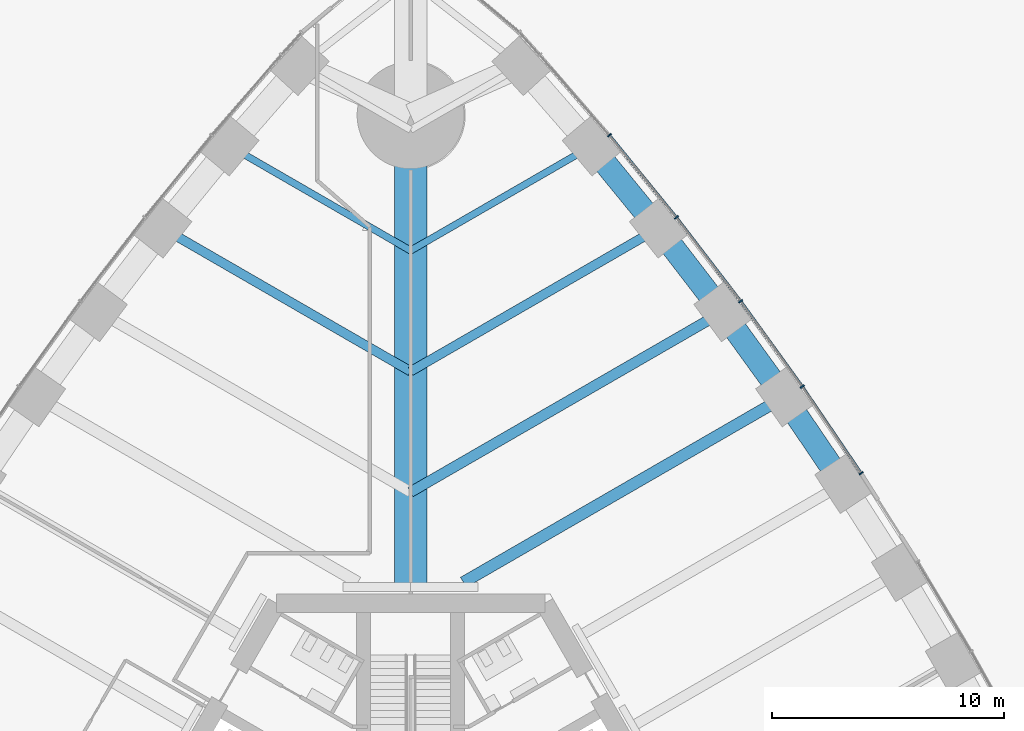
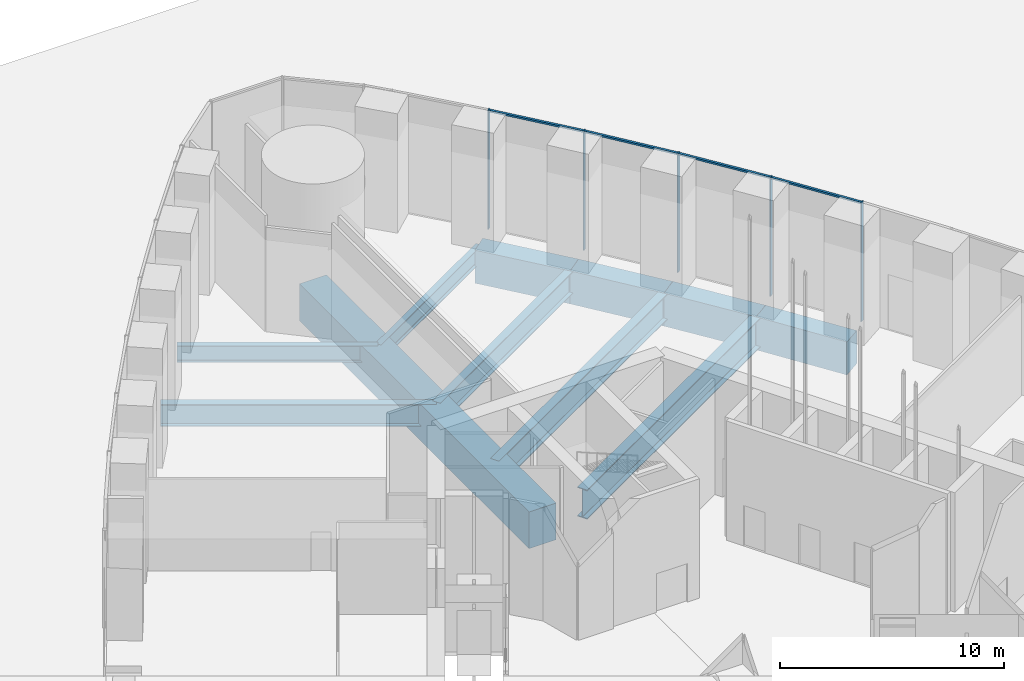
# One storey, part 10 of 43: 11 beams, 9 members, 1 element without a shape of its own.
"""IFC4 building model written with IfcOpenShell, lengths in metres."""

from ifc_helpers import new_model, si_unit, direction, frame, origin, origin_2d, place, context, subcontext, project, spatial, rectangle, i_section, extrude, material, material_profile, profile_set, type_object, element, aggregate, save


model = new_model("IFC4")

# Units and contexts
model_context = context("Model", 3, precision=1e-05, world=origin(), true_north=direction((0.0, 1.0)))
body_context = subcontext(model_context, "Body", "Model", "MODEL_VIEW")
ifc_project = project(units=[si_unit("LENGTHUNIT", "METRE"), si_unit("AREAUNIT", "SQUARE_METRE"), si_unit("VOLUMEUNIT", "CUBIC_METRE"), si_unit("PLANEANGLEUNIT", "RADIAN"), si_unit("MASSUNIT", "GRAM", prefix="KILO")], contexts=[model_context])

# Site, building, storey
site_placement = place(None, origin())
site = spatial("IfcSite", under=ifc_project, at=site_placement, CompositionType="ELEMENT")
building_placement = place(site_placement, origin())
building = spatial("IfcBuilding", under=site, at=building_placement, Name="Trefoil Bronze Tower", CompositionType="ELEMENT")
storey_placement = place(building_placement, origin())
storey = spatial("IfcBuildingStorey", under=building, at=storey_placement, Name="L00", CompositionType="ELEMENT", Elevation=0.0)

# Curtain wall, members
ifc_material_1 = material(Name="Tinted solar-control glass", Category="glass")
curtain_wall_type = type_object("IfcCurtainWallType", Name="Bronze podium storefront curtain wall", PredefinedType="USERDEFINED", material=ifc_material_1)
curtain_wall_placement = place(storey_placement, origin())
curtain_wall = element("IfcCurtainWall", 1, at=curtain_wall_placement, inside=storey, type_object=curtain_wall_type, Name="CW-C L00 F2 run 5", ObjectType="CURTAIN WALL", PredefinedType="USERDEFINED")
ifc_material_2 = material(Name="Bronze-finish aluminium", Category="aluminium")
ifc_material_profile_1 = material_profile(ifc_material_2, rectangle(XDim=0.199951171875, YDim=0.06005859375, at=origin_2d()), Name="CW-C mullion")
ifc_profile_set_1 = profile_set([ifc_material_profile_1], Name="Bronze-finish aluminium")
member_type_1 = type_object("IfcMemberType", Name="Bronze podium storefront curtain wall mullion", PredefinedType="MULLION", material=ifc_profile_set_1)
member_1_placement = place(storey_placement, frame((19.387451171875, 21.593994140625, 0.0), z_axis=(0.0, 0.0, 1.0), x_axis=(-0.827470167681, -0.56150968077, 0.0)))
member_1 = element("IfcMember", 2, at=member_1_placement, type_object=member_type_1, Name="CW-C L00 F2 run 5 mullion 1", PredefinedType="MULLION", context=body_context, shape_type="SweptSolid", body=[
    extrude(rectangle(XDim=0.199951171875, YDim=0.06005859375, at=origin_2d()), origin(), (0.0, 0.0, 1.0), 6.47998046875),
])
member_2_placement = place(storey_placement, frame((16.853271484375, 25.32861328125, 0.0), z_axis=(0.0, 0.0, 1.0), x_axis=(-0.819204207116, -0.573501932903, 0.0)))
member_2 = element("IfcMember", 3, at=member_2_placement, type_object=member_type_1, Name="CW-C L00 F2 run 5 mullion 2", PredefinedType="MULLION", context=body_context, shape_type="SweptSolid", body=[
    extrude(rectangle(XDim=0.199951171875, YDim=0.06005859375, at=origin_2d()), origin(), (0.0, 0.0, 1.0), 6.47998046875),
])
member_3_placement = place(storey_placement, frame((14.20361328125, 28.99853515625, 0.0), z_axis=(0.0, 0.0, 1.0), x_axis=(-0.802126748469, -0.59715381552, 0.0)))
member_3 = element("IfcMember", 4, at=member_3_placement, type_object=member_type_1, Name="CW-C L00 F2 run 5 mullion 3", PredefinedType="MULLION", context=body_context, shape_type="SweptSolid", body=[
    extrude(rectangle(XDim=0.199951171875, YDim=0.06005859375, at=origin_2d()), origin(), (0.0, 0.0, 1.0), 6.47998046875),
])
member_4_placement = place(storey_placement, frame((11.4384765625, 32.6015625, 0.0), z_axis=(0.0, 0.0, 1.0), x_axis=(-0.784304615744, -0.620375910011, 0.0)))
member_4 = element("IfcMember", 5, at=member_4_placement, type_object=member_type_1, Name="CW-C L00 F2 run 5 mullion 4", PredefinedType="MULLION", context=body_context, shape_type="SweptSolid", body=[
    extrude(rectangle(XDim=0.199951171875, YDim=0.06005859375, at=origin_2d()), origin(), (0.0, 0.0, 1.0), 6.47998046875),
])
member_5_placement = place(storey_placement, frame((8.556640625, 36.13720703125, 0.0), z_axis=(0.0, 0.0, 1.0), x_axis=(-0.765729101889, -0.643163231629, 0.0)))
member_5 = element("IfcMember", 6, at=member_5_placement, type_object=member_type_1, Name="CW-C L00 F2 run 5 mullion 5", PredefinedType="MULLION", context=body_context, shape_type="SweptSolid", body=[
    extrude(rectangle(XDim=0.199951171875, YDim=0.06005859375, at=origin_2d()), origin(), (0.0, 0.0, 1.0), 6.47998046875),
])
ifc_material_3 = material(Name="Bronze-finish aluminium", Category="aluminium")
ifc_material_profile_2 = material_profile(ifc_material_3, rectangle(XDim=0.1201171875, YDim=0.10009765625, at=origin_2d()), Name="CW-C transom")
ifc_profile_set_2 = profile_set([ifc_material_profile_2], Name="Bronze-finish aluminium")
member_type_2 = type_object("IfcMemberType", Name="Bronze podium storefront curtain wall transom", PredefinedType="USERDEFINED", material=ifc_profile_set_2)
member_6_placement = place(storey_placement, frame((19.37060546875, 21.618896484375, 6.429931640625), z_axis=(-0.561502759392, 0.827474864388, 0.0), x_axis=(-0.827474864388, -0.561502759392, 0.0)))
member_6 = element("IfcMember", 7, at=member_6_placement, type_object=member_type_2, Name="CW-C L00 F2 run 5 transom 1", ObjectType="TRANSOM", PredefinedType="USERDEFINED", context=body_context, shape_type="SweptSolid", body=[
    extrude(rectangle(XDim=0.1201171875, YDim=0.10009765625, at=origin_2d()), origin(), (0.0, 0.0, 1.0), 4.451904296875),
])
member_7_placement = place(storey_placement, frame((16.834716796875, 25.354248046875, 6.429931640625), z_axis=(-0.585390692876, 0.810751340853, 0.0), x_axis=(-0.810751340853, -0.585390692876, 0.0)))
member_7 = element("IfcMember", 8, at=member_7_placement, type_object=member_type_2, Name="CW-C L00 F2 run 5 transom 2", ObjectType="TRANSOM", PredefinedType="USERDEFINED", context=body_context, shape_type="SweptSolid", body=[
    extrude(rectangle(XDim=0.1201171875, YDim=0.10009765625, at=origin_2d()), origin(), (0.0, 0.0, 1.0), 4.46337890625),
])
member_8_placement = place(storey_placement, frame((14.1845703125, 29.0234375, 6.429931640625), z_axis=(-0.608806818405, 0.79331850972, 0.0), x_axis=(-0.79331850972, -0.608806818405, 0.0)))
member_8 = element("IfcMember", 9, at=member_8_placement, type_object=member_type_2, Name="CW-C L00 F2 run 5 transom 3", ObjectType="TRANSOM", PredefinedType="USERDEFINED", context=body_context, shape_type="SweptSolid", body=[
    extrude(rectangle(XDim=0.1201171875, YDim=0.10009765625, at=origin_2d()), origin(), (0.0, 0.0, 1.0), 4.47900390625),
])
member_9_placement = place(storey_placement, frame((11.418701171875, 32.6259765625, 6.429931640625), z_axis=(-0.631829981334, 0.77510700854, 0.0), x_axis=(-0.77510700854, -0.631829981334, 0.0)))
member_9 = element("IfcMember", 10, at=member_9_placement, type_object=member_type_2, Name="CW-C L00 F2 run 5 transom 4", ObjectType="TRANSOM", PredefinedType="USERDEFINED", context=body_context, shape_type="SweptSolid", body=[
    extrude(rectangle(XDim=0.1201171875, YDim=0.10009765625, at=origin_2d()), origin(), (0.0, 0.0, 1.0), 4.49853515625),
])
aggregate(curtain_wall, [member_1, member_2, member_3, member_4, member_5, member_6, member_7, member_8, member_9])

# Beams
ifc_material_4 = material(Name="Concrete B80", Category="concrete")
ifc_material_profile_3 = material_profile(ifc_material_4, rectangle(XDim=1.39990234375, YDim=2.0, at=origin_2d()), Name="RC 1400x2000")
ifc_profile_set_3 = profile_set([ifc_material_profile_3], Name="Concrete B80")
beam_type_1 = type_object("IfcBeamType", Name="Corner girder RC 1400x2000", PredefinedType="BEAM", material=ifc_profile_set_3)
beam_1_placement = place(storey_placement, frame((0.0, 16.5, -1.300048828125), z_axis=(0.0, 1.0, 0.0), x_axis=(-1.0, 0.0, 0.0)))
element("IfcBeam", 11, at=beam_1_placement, inside=storey, type_object=beam_type_1, Name="Corner girder K2 L00", PredefinedType="BEAM", context=body_context, shape_type="SweptSolid", body=[
    extrude(rectangle(XDim=1.39990234375, YDim=2.0, at=origin_2d()), origin(), (0.0, 0.0, 1.0), 20.5),
])
ifc_material_5 = material(Name="Steel C355", Category="steel")
ifc_material_profile_4 = material_profile(ifc_material_5, i_section(OverallWidth=0.300048828125, OverallDepth=0.89990234375, WebThickness=0.0185546875, FlangeThickness=0.034912109375, FilletRadius=0.030029296875, at=origin_2d()), Name="HEB 900")
ifc_profile_set_4 = profile_set([ifc_material_profile_4], Name="Steel C355")
beam_type_2 = type_object("IfcBeamType", Name="Floor beam HEB 900", PredefinedType="BEAM", material=ifc_profile_set_4)
for number, where, z_axis, x_axis, name in (
    (12, (7.7763671875, 35.666748046875, -0.75), (-0.866022587327, -0.500004878216, 0.0), (0.500004878216, -0.866022587327, 0.0), "Floor beam F2/+6 L00"),
    (13, (-7.7763671875, 35.666748046875, -0.75), (0.866022587327, -0.500004878216, 0.0), (0.500004878216, 0.866022587327, 0.0), "Floor beam F3/-6 L00"),
):
    element("IfcBeam", number, at=place(storey_placement, frame(where, z_axis=z_axis, x_axis=x_axis)), inside=storey, type_object=beam_type_2, Name=name, PredefinedType="BEAM", context=body_context, shape_type="SweptSolid", body=[
        extrude(i_section(OverallWidth=0.300048828125, OverallDepth=0.89990234375, WebThickness=0.0185546875, FlangeThickness=0.034912109375, FilletRadius=0.030029296875, at=origin_2d()), origin(), (0.0, 0.0, 1.0), 8.9794921875),
    ])
ifc_material_6 = material(Name="Steel C355", Category="steel")
ifc_material_profile_5 = material_profile(ifc_material_6, i_section(OverallWidth=0.39990234375, OverallDepth=1.199951171875, WebThickness=0.02001953125, FlangeThickness=0.0400390625, FilletRadius=0.010009765625, at=origin_2d()), Name="WPG 1200")
ifc_profile_set_5 = profile_set([ifc_material_profile_5], Name="Steel C355")
beam_type_3 = type_object("IfcBeamType", Name="Floor beam WPG 1200", PredefinedType="BEAM", material=ifc_profile_set_5)
for number, where, z_axis, x_axis, name in (
    (14, (10.659912109375, 32.13525390625, -0.89990234375), (-0.866024070878, -0.500002308654, 0.0), (0.500002308654, -0.866024070878, 0.0), "Floor beam F2/+5 L00"),
    (15, (-10.659912109375, 32.13525390625, -0.89990234375), (0.866024070878, -0.500002308654, 0.0), (0.500002308654, 0.866024070878, 0.0), "Floor beam F3/-5 L00"),
):
    element("IfcBeam", number, at=place(storey_placement, frame(where, z_axis=z_axis, x_axis=x_axis)), inside=storey, type_object=beam_type_3, Name=name, PredefinedType="BEAM", context=body_context, shape_type="SweptSolid", body=[
        extrude(i_section(OverallWidth=0.39990234375, OverallDepth=1.199951171875, WebThickness=0.02001953125, FlangeThickness=0.0400390625, FilletRadius=0.010009765625, at=origin_2d()), origin(), (0.0, 0.0, 1.0), 12.30908203125),
    ])
ifc_material_7 = material(Name="Steel C355", Category="steel")
ifc_material_profile_6 = material_profile(ifc_material_7, i_section(OverallWidth=0.449951171875, OverallDepth=1.39990234375, WebThickness=0.02294921875, FlangeThickness=0.044921875, FilletRadius=0.011962890625, at=origin_2d()), Name="WPG 1400")
ifc_profile_set_6 = profile_set([ifc_material_profile_6], Name="Steel C355")
beam_type_4 = type_object("IfcBeamType", Name="Floor beam WPG 1400", PredefinedType="BEAM", material=ifc_profile_set_6)
beam_2_placement = place(storey_placement, frame((13.42578125, 28.5361328125, -1.0), z_axis=(-0.866022989816, -0.500004181093, 0.0), x_axis=(0.500004181093, -0.866022989816, 0.0)))
element("IfcBeam", 16, at=beam_2_placement, inside=storey, type_object=beam_type_4, Name="Floor beam F2/+4 L00", PredefinedType="BEAM", context=body_context, shape_type="SweptSolid", body=[
    extrude(i_section(OverallWidth=0.449951171875, OverallDepth=1.39990234375, WebThickness=0.02294921875, FlangeThickness=0.044921875, FilletRadius=0.011962890625, at=origin_2d()), origin(), (0.0, 0.0, 1.0), 15.502685546875),
])
ifc_material_8 = material(Name="Steel C355", Category="steel")
ifc_material_profile_7 = material_profile(ifc_material_8, i_section(OverallWidth=0.5, OverallDepth=1.60009765625, WebThickness=0.02587890625, FlangeThickness=0.050048828125, FilletRadius=0.011962890625, at=origin_2d()), Name="WPG 1600")
ifc_profile_set_7 = profile_set([ifc_material_profile_7], Name="Steel C355")
beam_type_5 = type_object("IfcBeamType", Name="Floor beam WPG 1600", PredefinedType="BEAM", material=ifc_profile_set_7)
beam_3_placement = place(storey_placement, frame((16.075927734375, 24.869873046875, -1.10009765625), z_axis=(-0.86602234579, -0.500005296564, 0.0), x_axis=(0.500005296564, -0.86602234579, 0.0)))
element("IfcBeam", 17, at=beam_3_placement, inside=storey, type_object=beam_type_5, Name="Floor beam F2/+3 L00", PredefinedType="BEAM", context=body_context, shape_type="SweptSolid", body=[
    extrude(i_section(OverallWidth=0.5, OverallDepth=1.60009765625, WebThickness=0.02587890625, FlangeThickness=0.050048828125, FilletRadius=0.011962890625, at=origin_2d()), origin(), (0.0, 0.0, 1.0), 15.939697265625),
])
ifc_material_9 = material(Name="Concrete B80", Category="concrete")
ifc_material_profile_8 = material_profile(ifc_material_9, rectangle(XDim=1.0, YDim=1.800048828125, at=origin_2d()), Name="RC 1000x1800")
ifc_profile_set_8 = profile_set([ifc_material_profile_8], Name="Concrete B80")
beam_type_6 = type_object("IfcBeamType", Name="Spandrel beam RC 1000x1800", PredefinedType="SPANDREL", material=ifc_profile_set_8)
beam_4_placement = place(storey_placement, frame((18.61083984375, 21.13720703125, -1.199951171875), z_axis=(-0.561809680291, 0.827266512758, 0.0), x_axis=(-0.827266512758, -0.561809680291, 0.0)))
element("IfcBeam", 18, at=beam_4_placement, inside=storey, type_object=beam_type_6, Name="Spandrel F2.11 L00", PredefinedType="SPANDREL", context=body_context, shape_type="SweptSolid", body=[
    extrude(rectangle(XDim=1.0, YDim=1.800048828125, at=origin_2d()), origin(), (0.0, 0.0, 1.0), 4.511962890625),
])
beam_5_placement = place(storey_placement, frame((16.075927734375, 24.869873046875, -1.199951171875), z_axis=(-0.585823508301, 0.810438657223, 0.0), x_axis=(-0.810438657223, -0.585823508301, 0.0)))
element("IfcBeam", 19, at=beam_5_placement, inside=storey, type_object=beam_type_6, Name="Spandrel F2.12 L00", PredefinedType="SPANDREL", context=body_context, shape_type="SweptSolid", body=[
    extrude(rectangle(XDim=1.0, YDim=1.800048828125, at=origin_2d()), origin(), (0.0, 0.0, 1.0), 4.523681640625),
])
beam_6_placement = place(storey_placement, frame((13.42578125, 28.5361328125, -1.199951171875), z_axis=(-0.609338992146, 0.792909826305, 0.0), x_axis=(-0.792909826305, -0.609338992146, 0.0)))
element("IfcBeam", 20, at=beam_6_placement, inside=storey, type_object=beam_type_6, Name="Spandrel F2.13 L00", PredefinedType="SPANDREL", context=body_context, shape_type="SweptSolid", body=[
    extrude(rectangle(XDim=1.0, YDim=1.800048828125, at=origin_2d()), origin(), (0.0, 0.0, 1.0), 4.5390625),
])
beam_7_placement = place(storey_placement, frame((10.659912109375, 32.13525390625, -1.199951171875), z_axis=(-0.632467643363, 0.774586780225, 0.0), x_axis=(-0.774586780225, -0.632467643363, 0.0)))
element("IfcBeam", 21, at=beam_7_placement, inside=storey, type_object=beam_type_6, Name="Spandrel F2.14 L00", PredefinedType="SPANDREL", context=body_context, shape_type="SweptSolid", body=[
    extrude(rectangle(XDim=1.0, YDim=1.800048828125, at=origin_2d()), origin(), (0.0, 0.0, 1.0), 4.55908203125),
])

save(model, "model.ifc")
